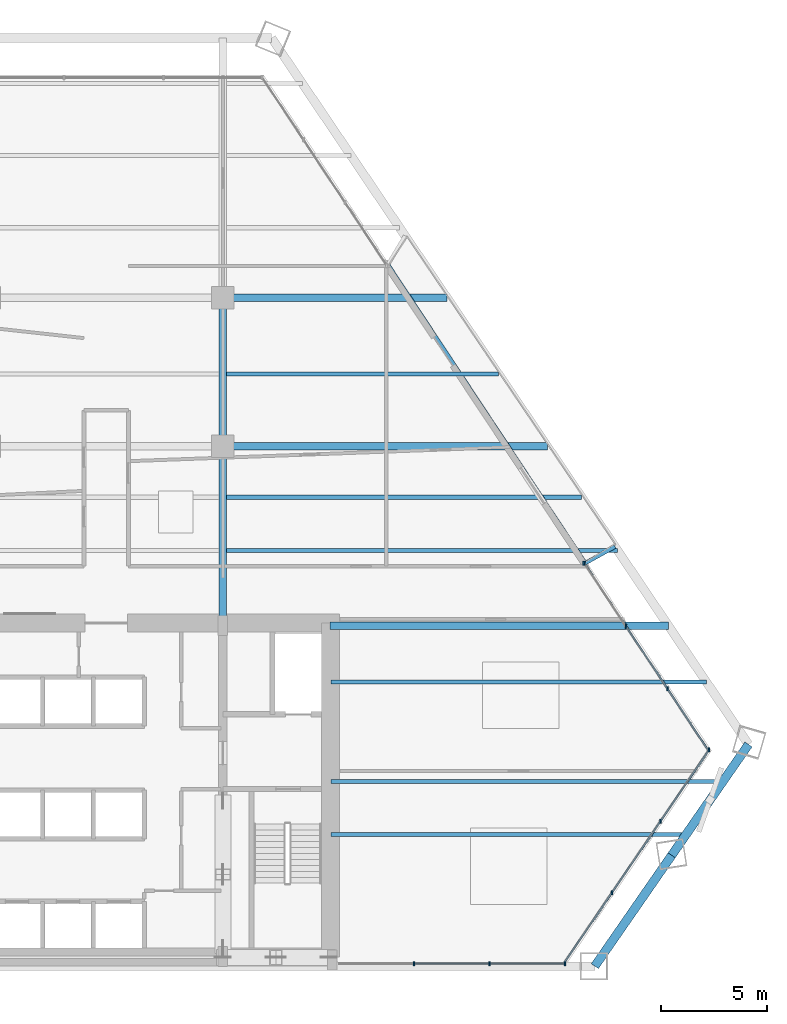
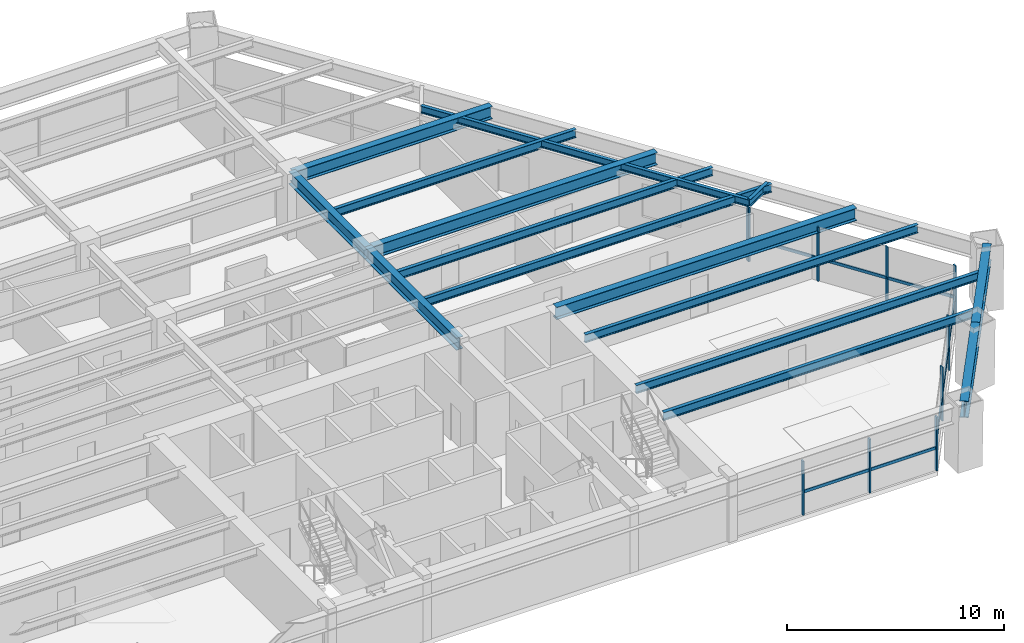
# One storey, part 6 of 14: 18 members, 15 beams, 3 elements without a shape of their own.
"""IFC4 building model written with IfcOpenShell, lengths in metres."""

from ifc_helpers import new_model, si_unit, direction, frame, origin, origin_2d, place, context, subcontext, project, spatial, rectangle, i_section, extrude, source, transform, mapped, material, material_profile, profile_set, type_object, type_shapes, element, aggregate, save


model = new_model("IFC4")

# Units and contexts
model_context = context("Model", 3, precision=1e-05, world=origin(), true_north=direction((0.0, 1.0)))
body_context = subcontext(model_context, "Body", "Model", "MODEL_VIEW")
ifc_project = project(units=[si_unit("LENGTHUNIT", "METRE"), si_unit("AREAUNIT", "SQUARE_METRE"), si_unit("VOLUMEUNIT", "CUBIC_METRE"), si_unit("PLANEANGLEUNIT", "RADIAN"), si_unit("MASSUNIT", "GRAM", prefix="KILO")], contexts=[model_context])

# Site, building, storey
site_placement = place(None, origin())
site = spatial("IfcSite", under=ifc_project, at=site_placement, CompositionType="ELEMENT")
building_placement = place(site_placement, origin())
building = spatial("IfcBuilding", under=site, at=building_placement, Name="Varnakhor Terracotta Tower", CompositionType="ELEMENT")
storey_placement = place(building_placement, frame((0.0, 0.0, 60.800048828125)))
storey = spatial("IfcBuildingStorey", under=building, at=storey_placement, Name="L14", CompositionType="ELEMENT", Elevation=60.800048828125)

# Beams
ifc_material_1 = material(Name="Steel S355", Category="steel")
ifc_material_profile_1 = material_profile(ifc_material_1, i_section(OverallWidth=0.35498046875, OverallDepth=0.695068359375, WebThickness=0.014892578125, FlangeThickness=0.02490234375, FilletRadius=0.01806640625, at=origin_2d()), Name="W27X146")
ifc_profile_set_1 = profile_set([ifc_material_profile_1], Name="Steel S355")
beam_type_1 = type_object("IfcBeamType", Name="BM-W27X146", PredefinedType="BEAM", material=ifc_profile_set_1)
shared_shape_1 = source(origin(), body_context, "Body", "SweptSolid", [
    extrude(i_section(OverallWidth=0.35498046875, OverallDepth=0.695068359375, WebThickness=0.014892578125, FlangeThickness=0.02490234375, FilletRadius=0.01806640625, at=origin_2d()), origin(), (0.0, 0.0, 1.0), 8.449951171875),
])
type_shapes(beam_type_1, [shared_shape_1])
beam_1_placement = place(storey_placement, frame((5.5, 16.050048828125, 3.1025390625), z_axis=(0.0, 1.0, 0.0), x_axis=(-1.0, 0.0, 0.0)))
element("IfcBeam", 1, at=beam_1_placement, inside=storey, type_object=beam_type_1, Name="L14 Primary Girder NS1-E", PredefinedType="BEAM", context=body_context, shape_type="MappedRepresentation", body=[
    mapped(shared_shape_1, transform((0.0, 0.0, 0.0), scale=1.0)),
])
shared_shape_2 = source(origin(), body_context, "Body", "SweptSolid", [
    extrude(i_section(OverallWidth=0.35498046875, OverallDepth=0.695068359375, WebThickness=0.014892578125, FlangeThickness=0.02490234375, FilletRadius=0.01806640625, at=origin_2d()), origin(), (0.0, 0.0, 1.0), 7.0),
])
beam_2_placement = place(storey_placement, frame((5.5, 24.5, 3.1025390625), z_axis=(0.0, 1.0, 0.0), x_axis=(-1.0, 0.0, 0.0)))
element("IfcBeam", 2, at=beam_2_placement, inside=storey, type_object=beam_type_1, Name="L14 Primary Girder NS2-E", PredefinedType="BEAM", context=body_context, shape_type="MappedRepresentation", body=[
    mapped(shared_shape_2, transform((0.0, 0.0, 0.0), scale=1.0)),
])
ifc_material_profile_2 = material_profile(ifc_material_1, i_section(OverallWidth=0.41796875, OverallDepth=0.927001953125, WebThickness=0.01904296875, FlangeThickness=0.031982421875, FilletRadius=0.01806640625, at=origin_2d()), Name="W36X231")
ifc_profile_set_2 = profile_set([ifc_material_profile_2], Name="Steel S355")
beam_type_2 = type_object("IfcBeamType", Name="BM-W36X231", PredefinedType="BEAM", material=ifc_profile_set_2)
shared_shape_3 = source(origin(), body_context, "Body", "SweptSolid", [
    extrude(i_section(OverallWidth=0.41796875, OverallDepth=0.927001953125, WebThickness=0.01904296875, FlangeThickness=0.031982421875, FilletRadius=0.01806640625, at=origin_2d()), origin(), (0.0, 0.0, 1.0), 6.358642578125),
])
for number, where, z_axis, x_axis, name in (
    (3, (23.0302734375, 0.0, 2.986572265625), (0.569663104141, 0.821878304727, 0.0), (-0.821878304727, 0.569663104141, 0.0), "L14 Perimeter Spandrel 2"),
    (4, (26.652587890625, 5.22607421875, 2.986572265625), (0.569619192518, 0.821908739164, 0.0), (-0.821908739164, 0.569619192518, 0.0), "L14 Perimeter Spandrel 3"),
):
    element("IfcBeam", number, at=place(storey_placement, frame(where, z_axis=z_axis, x_axis=x_axis)), inside=storey, type_object=beam_type_2, Name=name, PredefinedType="BEAM", context=body_context, shape_type="MappedRepresentation", body=[
        mapped(shared_shape_3, transform((0.0, 0.0, 0.0), scale=1.0)),
    ])
ifc_material_profile_3 = material_profile(ifc_material_1, i_section(OverallWidth=0.179931640625, OverallDepth=0.39990234375, WebThickness=0.008544921875, FlangeThickness=0.013427734375, FilletRadius=0.01806640625, at=origin_2d()), Name="IPE400")
ifc_profile_set_3 = profile_set([ifc_material_profile_3], Name="Steel S355")
beam_type_3 = type_object("IfcBeamType", Name="JST-IPE400", PredefinedType="JOIST", material=ifc_profile_set_3)
shared_shape_4 = source(origin(), body_context, "Body", "SweptSolid", [
    extrude(i_section(OverallWidth=0.179931640625, OverallDepth=0.39990234375, WebThickness=0.008544921875, FlangeThickness=0.013427734375, FilletRadius=0.01806640625, at=origin_2d()), origin(), (0.0, 0.0, 1.0), 16.8662109375),
])
beam_3_placement = place(storey_placement, frame((22.578125, 18.994873046875, 3.25), z_axis=(-0.551355325794, 0.834270522503, 0.0), x_axis=(-0.834270522503, -0.551355325794, 0.0)))
element("IfcBeam", 5, at=beam_3_placement, inside=storey, type_object=beam_type_3, Name="L14 Loggia Edge Beam 1", PredefinedType="JOIST", context=body_context, shape_type="MappedRepresentation", body=[
    mapped(shared_shape_4, transform((0.0, 0.0, 0.0), scale=1.0)),
])
shared_shape_5 = source(origin(), body_context, "Body", "SweptSolid", [
    extrude(i_section(OverallWidth=0.35498046875, OverallDepth=0.695068359375, WebThickness=0.014892578125, FlangeThickness=0.02490234375, FilletRadius=0.01806640625, at=origin_2d()), origin(), (0.0, 0.0, 1.0), 15.9453125),
])
beam_4_placement = place(storey_placement, frame((10.550048828125, 16.050048828125, 3.1025390625), z_axis=(1.0, 0.0, 0.0), x_axis=(0.0, 1.0, 0.0)))
element("IfcBeam", 6, at=beam_4_placement, inside=storey, type_object=beam_type_1, Name="L14 Wing Girder E", PredefinedType="BEAM", context=body_context, shape_type="MappedRepresentation", body=[
    mapped(shared_shape_5, transform((0.0, 0.0, 0.0), scale=1.0)),
])
shared_shape_6 = source(origin(), body_context, "Body", "SweptSolid", [
    extrude(i_section(OverallWidth=0.35498046875, OverallDepth=0.695068359375, WebThickness=0.014892578125, FlangeThickness=0.02490234375, FilletRadius=0.01806640625, at=origin_2d()), origin(), (0.0, 0.0, 1.0), 15.2900390625),
])
beam_5_placement = place(storey_placement, frame((5.5, 24.5, 3.1025390625), z_axis=(1.0, 0.0, 0.0), x_axis=(0.0, 1.0, 0.0)))
element("IfcBeam", 7, at=beam_5_placement, inside=storey, type_object=beam_type_1, Name="L14 Primary Girder EW2-3", PredefinedType="BEAM", context=body_context, shape_type="MappedRepresentation", body=[
    mapped(shared_shape_6, transform((0.0, 0.0, 0.0), scale=1.0)),
])
shared_shape_7 = source(origin(), body_context, "Body", "SweptSolid", [
    extrude(i_section(OverallWidth=0.35498046875, OverallDepth=0.695068359375, WebThickness=0.014892578125, FlangeThickness=0.02490234375, FilletRadius=0.01806640625, at=origin_2d()), origin(), (0.0, 0.0, 1.0), 10.56396484375),
])
beam_6_placement = place(storey_placement, frame((5.5, 31.5, 3.1025390625), z_axis=(1.0, 0.0, 0.0), x_axis=(0.0, 1.0, 0.0)))
element("IfcBeam", 8, at=beam_6_placement, inside=storey, type_object=beam_type_1, Name="L14 Primary Girder EW3-3", PredefinedType="BEAM", context=body_context, shape_type="MappedRepresentation", body=[
    mapped(shared_shape_7, transform((0.0, 0.0, 0.0), scale=1.0)),
])
ifc_material_profile_4 = material_profile(ifc_material_1, i_section(OverallWidth=0.19189453125, OverallDepth=0.462890625, WebThickness=0.010498046875, FlangeThickness=0.017578125, FilletRadius=0.01806640625, at=origin_2d()), Name="W18X60")
ifc_profile_set_4 = profile_set([ifc_material_profile_4], Name="Steel S355")
beam_type_4 = type_object("IfcBeamType", Name="JST-W18X60", PredefinedType="JOIST", material=ifc_profile_set_4)
shared_shape_8 = source(origin(), body_context, "Body", "SweptSolid", [
    extrude(i_section(OverallWidth=0.19189453125, OverallDepth=0.462890625, WebThickness=0.010498046875, FlangeThickness=0.017578125, FilletRadius=0.01806640625, at=origin_2d()), origin(), (0.0, 0.0, 1.0), 16.727294921875),
])
beam_7_placement = place(storey_placement, frame((10.60009765625, 6.199951171875, 3.218505859375), z_axis=(1.0, 0.0, 0.0), x_axis=(0.0, 1.0, 0.0)))
element("IfcBeam", 9, at=beam_7_placement, inside=storey, type_object=beam_type_4, Name="L14 Floor Joist E1", PredefinedType="JOIST", context=body_context, shape_type="MappedRepresentation", body=[
    mapped(shared_shape_8, transform((0.0, 0.0, 0.0), scale=1.0)),
])
shared_shape_9 = source(origin(), body_context, "Body", "SweptSolid", [
    extrude(i_section(OverallWidth=0.19189453125, OverallDepth=0.462890625, WebThickness=0.010498046875, FlangeThickness=0.017578125, FilletRadius=0.01806640625, at=origin_2d()), origin(), (0.0, 0.0, 1.0), 18.460205078125),
])
beam_8_placement = place(storey_placement, frame((10.60009765625, 8.699951171875, 3.218505859375), z_axis=(1.0, 0.0, 0.0), x_axis=(0.0, 1.0, 0.0)))
element("IfcBeam", 10, at=beam_8_placement, inside=storey, type_object=beam_type_4, Name="L14 Floor Joist E2", PredefinedType="JOIST", context=body_context, shape_type="MappedRepresentation", body=[
    mapped(shared_shape_9, transform((0.0, 0.0, 0.0), scale=1.0)),
])
shared_shape_10 = source(origin(), body_context, "Body", "SweptSolid", [
    extrude(i_section(OverallWidth=0.19189453125, OverallDepth=0.462890625, WebThickness=0.010498046875, FlangeThickness=0.017578125, FilletRadius=0.01806640625, at=origin_2d()), origin(), (0.0, 0.0, 1.0), 17.684326171875),
])
beam_9_placement = place(storey_placement, frame((10.60009765625, 13.39990234375, 3.218505859375), z_axis=(1.0, 0.0, 0.0), x_axis=(0.0, 1.0, 0.0)))
element("IfcBeam", 11, at=beam_9_placement, inside=storey, type_object=beam_type_4, Name="L14 Floor Joist E3", PredefinedType="JOIST", context=body_context, shape_type="MappedRepresentation", body=[
    mapped(shared_shape_10, transform((0.0, 0.0, 0.0), scale=1.0)),
])
shared_shape_11 = source(origin(), body_context, "Body", "SweptSolid", [
    extrude(i_section(OverallWidth=0.19189453125, OverallDepth=0.462890625, WebThickness=0.010498046875, FlangeThickness=0.017578125, FilletRadius=0.01806640625, at=origin_2d()), origin(), (0.0, 0.0, 1.0), 18.4248046875),
])
beam_10_placement = place(storey_placement, frame((5.673583984375, 19.60009765625, 3.218505859375), z_axis=(1.0, 0.0, 0.0), x_axis=(0.0, 1.0, 0.0)))
element("IfcBeam", 12, at=beam_10_placement, inside=storey, type_object=beam_type_4, Name="L14 Composite Floor Joist 4-3", PredefinedType="JOIST", context=body_context, shape_type="MappedRepresentation", body=[
    mapped(shared_shape_11, transform((0.0, 0.0, 0.0), scale=1.0)),
])
shared_shape_12 = source(origin(), body_context, "Body", "SweptSolid", [
    extrude(i_section(OverallWidth=0.19189453125, OverallDepth=0.462890625, WebThickness=0.010498046875, FlangeThickness=0.017578125, FilletRadius=0.01806640625, at=origin_2d()), origin(), (0.0, 0.0, 1.0), 16.73681640625),
])
beam_11_placement = place(storey_placement, frame((5.673583984375, 22.10009765625, 3.218505859375), z_axis=(1.0, 0.0, 0.0), x_axis=(0.0, 1.0, 0.0)))
element("IfcBeam", 13, at=beam_11_placement, inside=storey, type_object=beam_type_4, Name="L14 Composite Floor Joist 5-3", PredefinedType="JOIST", context=body_context, shape_type="MappedRepresentation", body=[
    mapped(shared_shape_12, transform((0.0, 0.0, 0.0), scale=1.0)),
])
shared_shape_13 = source(origin(), body_context, "Body", "SweptSolid", [
    extrude(i_section(OverallWidth=0.19189453125, OverallDepth=0.462890625, WebThickness=0.010498046875, FlangeThickness=0.017578125, FilletRadius=0.01806640625, at=origin_2d()), origin(), (0.0, 0.0, 1.0), 12.82080078125),
])
beam_12_placement = place(storey_placement, frame((5.673583984375, 27.89990234375, 3.218505859375), z_axis=(1.0, 0.0, 0.0), x_axis=(0.0, 1.0, 0.0)))
element("IfcBeam", 14, at=beam_12_placement, inside=storey, type_object=beam_type_4, Name="L14 Composite Floor Joist 6-3", PredefinedType="JOIST", context=body_context, shape_type="MappedRepresentation", body=[
    mapped(shared_shape_13, transform((0.0, 0.0, 0.0), scale=1.0)),
])

# Curtain wall, members
ifc_material_2 = material(Name="Anodised Aluminium Curtain Wall System", Category="aluminium")
curtain_wall_type = type_object("IfcCurtainWallType", Name="CW-SYS-LOW-OFFICE", PredefinedType="NOTDEFINED", material=ifc_material_2)
curtain_wall_1_placement = place(storey_placement, origin())
curtain_wall_1 = element("IfcCurtainWall", 15, at=curtain_wall_1_placement, inside=storey, type_object=curtain_wall_type, Name="L14 E Facet Curtain Wall 2", PredefinedType="NOTDEFINED")
ifc_material_3 = material(Name="Anodised Aluminium 6063-T6", Category="aluminium")
ifc_material_profile_5 = material_profile(ifc_material_3, rectangle(XDim=0.074951171875, YDim=0.18505859375, at=origin_2d()), Name="ALU MULLION 75x185")
ifc_profile_set_5 = profile_set([ifc_material_profile_5], Name="Anodised Aluminium 6063-T6")
member_type_1 = type_object("IfcMemberType", Name="CWM-02", PredefinedType="MULLION", material=ifc_profile_set_5)
shared_shape_14 = source(origin(), body_context, "Body", "SweptSolid", [
    extrude(rectangle(XDim=0.074951171875, YDim=0.18505859375, at=origin_2d()), origin(), (0.0, 0.0, 1.0), 3.030029296875),
])
type_shapes(member_type_1, [shared_shape_14])
member_1_placement = place(storey_placement, frame((22.54296875, 18.980712890625, 0.0), z_axis=(0.0, 0.0, 1.0), x_axis=(1.0, 0.0, 0.0)))
member_1 = element("IfcMember", 16, at=member_1_placement, type_object=member_type_1, Name="L14 E Facet Curtain Wall 2 Mullion 1", PredefinedType="MULLION", context=body_context, shape_type="MappedRepresentation", body=[
    mapped(shared_shape_14, transform((0.0, 0.0, 0.0), scale=1.0)),
])
member_2_placement = place(storey_placement, frame((24.501708984375, 16.026123046875, 0.0), z_axis=(0.0, 0.0, 1.0), x_axis=(1.0, 0.0, 0.0)))
member_2 = element("IfcMember", 17, at=member_2_placement, type_object=member_type_1, Name="L14 E Facet Curtain Wall 2 Mullion 2", PredefinedType="MULLION", context=body_context, shape_type="MappedRepresentation", body=[
    mapped(shared_shape_14, transform((0.0, 0.0, 0.0), scale=1.0)),
])
member_3_placement = place(storey_placement, frame((26.460205078125, 13.0712890625, 0.0), z_axis=(0.0, 0.0, 1.0), x_axis=(1.0, 0.0, 0.0)))
member_3 = element("IfcMember", 18, at=member_3_placement, type_object=member_type_1, Name="L14 E Facet Curtain Wall 2 Mullion 3", PredefinedType="MULLION", context=body_context, shape_type="MappedRepresentation", body=[
    mapped(shared_shape_14, transform((0.0, 0.0, 0.0), scale=1.0)),
])
member_4_placement = place(storey_placement, frame((22.509765625, 18.99462890625, 0.0), z_axis=(0.0, 0.0, 1.0), x_axis=(1.0, 0.0, 0.0)))
member_4 = element("IfcMember", 19, at=member_4_placement, type_object=member_type_1, Name="L14 E Loggia Jamb Closure Mullion 2", PredefinedType="MULLION", context=body_context, shape_type="MappedRepresentation", body=[
    mapped(shared_shape_14, transform((0.0, 0.0, 0.0), scale=1.0)),
])

curtain_wall_2_placement = place(storey_placement, origin())
curtain_wall_2 = element("IfcCurtainWall", 20, at=curtain_wall_2_placement, inside=storey, type_object=curtain_wall_type, Name="L14 Facet Curtain Wall 4", PredefinedType="NOTDEFINED")
member_5_placement = place(storey_placement, frame((28.419189453125, 10.20068359375, 0.0), z_axis=(0.0, 0.0, 1.0), x_axis=(1.0, 0.0, 0.0)))
member_5 = element("IfcMember", 21, at=member_5_placement, type_object=member_type_1, Name="L14 Facet Curtain Wall 4 Mullion 1", PredefinedType="MULLION", context=body_context, shape_type="MappedRepresentation", body=[
    mapped(shared_shape_14, transform((0.0, 0.0, 0.0), scale=1.0)),
])
member_6_placement = place(storey_placement, frame((26.127685546875, 6.831298828125, 0.0), z_axis=(0.0, 0.0, 1.0), x_axis=(1.0, 0.0, 0.0)))
member_6 = element("IfcMember", 22, at=member_6_placement, type_object=member_type_1, Name="L14 Facet Curtain Wall 4 Mullion 2", PredefinedType="MULLION", context=body_context, shape_type="MappedRepresentation", body=[
    mapped(shared_shape_14, transform((0.0, 0.0, 0.0), scale=1.0)),
])
member_7_placement = place(storey_placement, frame((23.83642578125, 3.4619140625, 0.0), z_axis=(0.0, 0.0, 1.0), x_axis=(1.0, 0.0, 0.0)))
member_7 = element("IfcMember", 23, at=member_7_placement, type_object=member_type_1, Name="L14 Facet Curtain Wall 4 Mullion 3", PredefinedType="MULLION", context=body_context, shape_type="MappedRepresentation", body=[
    mapped(shared_shape_14, transform((0.0, 0.0, 0.0), scale=1.0)),
])

curtain_wall_3_placement = place(storey_placement, origin())
curtain_wall_3 = element("IfcCurtainWall", 24, at=curtain_wall_3_placement, inside=storey, type_object=curtain_wall_type, Name="L14 South Wing Curtain Wall SSE", PredefinedType="NOTDEFINED")
member_8_placement = place(storey_placement, frame((21.617431640625, 0.1201171875, 0.0), z_axis=(0.0, 0.0, 1.0), x_axis=(1.0, 0.0, 0.0)))
member_8 = element("IfcMember", 25, at=member_8_placement, type_object=member_type_1, Name="L14 South Wing Curtain Wall SSE Mullion 1", PredefinedType="MULLION", context=body_context, shape_type="MappedRepresentation", body=[
    mapped(shared_shape_14, transform((0.0, 0.0, 0.0), scale=1.0)),
])
member_9_placement = place(storey_placement, frame((18.068359375, 0.1201171875, 0.0), z_axis=(0.0, 0.0, 1.0), x_axis=(1.0, 0.0, 0.0)))
member_9 = element("IfcMember", 26, at=member_9_placement, type_object=member_type_1, Name="L14 South Wing Curtain Wall SSE Mullion 2", PredefinedType="MULLION", context=body_context, shape_type="MappedRepresentation", body=[
    mapped(shared_shape_14, transform((0.0, 0.0, 0.0), scale=1.0)),
])
member_10_placement = place(storey_placement, frame((14.51904296875, 0.1201171875, 0.0), z_axis=(0.0, 0.0, 1.0), x_axis=(1.0, 0.0, 0.0)))
member_10 = element("IfcMember", 27, at=member_10_placement, type_object=member_type_1, Name="L14 South Wing Curtain Wall SSE Mullion 3", PredefinedType="MULLION", context=body_context, shape_type="MappedRepresentation", body=[
    mapped(shared_shape_14, transform((0.0, 0.0, 0.0), scale=1.0)),
])

# Member
ifc_material_profile_6 = material_profile(ifc_material_3, rectangle(XDim=0.074951171875, YDim=0.1650390625, at=origin_2d()), Name="ALU TRANSOM 75x165")
ifc_profile_set_6 = profile_set([ifc_material_profile_6], Name="Anodised Aluminium 6063-T6")
member_type_2 = type_object("IfcMemberType", Name="CWT-02", PredefinedType="USERDEFINED", material=ifc_profile_set_6)
shared_shape_15 = source(origin(), body_context, "Body", "SweptSolid", [
    extrude(rectangle(XDim=0.074951171875, YDim=0.1650390625, at=origin_2d()), origin(), (0.0, 0.0, 1.0), 3.544677734375),
])
member_11_placement = place(storey_placement, frame((26.460205078125, 13.0712890625, 1.2724609375), z_axis=(0.552504906136, -0.833509645233, 0.0), x_axis=(0.833509645233, 0.552504906136, 0.0)))
member_11 = element("IfcMember", 28, at=member_11_placement, type_object=member_type_2, Name="L14 E Facet Curtain Wall 2 Transom 3", ObjectType="TRANSOM", PredefinedType="USERDEFINED", context=body_context, shape_type="MappedRepresentation", body=[
    mapped(shared_shape_15, transform((0.0, 0.0, 0.0), scale=1.0)),
])

shared_shape_16 = source(origin(), body_context, "Body", "SweptSolid", [
    extrude(rectangle(XDim=0.074951171875, YDim=0.1650390625, at=origin_2d()), origin(), (0.0, 0.0, 1.0), 3.544921875),
])
member_12_placement = place(storey_placement, frame((22.54296875, 18.980712890625, 1.2724609375), z_axis=(0.552552752611, -0.833477927471, 0.0), x_axis=(0.833477927471, 0.552552752611, 0.0)))
member_12 = element("IfcMember", 29, at=member_12_placement, type_object=member_type_2, Name="L14 E Facet Curtain Wall 2 Transom 1", ObjectType="TRANSOM", PredefinedType="USERDEFINED", context=body_context, shape_type="MappedRepresentation", body=[
    mapped(shared_shape_16, transform((0.0, 0.0, 0.0), scale=1.0)),
])

member_13_placement = place(storey_placement, frame((24.501708984375, 16.026123046875, 1.2724609375), z_axis=(0.552473189962, -0.833530667926, 0.0), x_axis=(0.833530667926, 0.552473189962, 0.0)))
member_13 = element("IfcMember", 30, at=member_13_placement, type_object=member_type_2, Name="L14 E Facet Curtain Wall 2 Transom 2", ObjectType="TRANSOM", PredefinedType="USERDEFINED", context=body_context, shape_type="MappedRepresentation", body=[
    mapped(shared_shape_16, transform((0.0, 0.0, 0.0), scale=1.0)),
])

aggregate(curtain_wall_1, [member_1, member_12, member_2, member_13, member_3, member_11, member_4])

shared_shape_17 = source(origin(), body_context, "Body", "SweptSolid", [
    extrude(rectangle(XDim=0.074951171875, YDim=0.1650390625, at=origin_2d()), origin(), (0.0, 0.0, 1.0), 4.07470703125),
])
member_14_placement = place(storey_placement, frame((28.419189453125, 10.20068359375, 1.2724609375), z_axis=(-0.562364101215, -0.826889725214, 0.0), x_axis=(0.826889725214, -0.562364101215, 0.0)))
member_14 = element("IfcMember", 31, at=member_14_placement, type_object=member_type_2, Name="L14 Facet Curtain Wall 4 Transom 1", ObjectType="TRANSOM", PredefinedType="USERDEFINED", context=body_context, shape_type="MappedRepresentation", body=[
    mapped(shared_shape_17, transform((0.0, 0.0, 0.0), scale=1.0)),
])

member_15_placement = place(storey_placement, frame((26.127685546875, 6.831298828125, 1.2724609375), z_axis=(-0.562323132326, -0.826917586493, 0.0), x_axis=(0.826917586493, -0.562323132326, 0.0)))
member_15 = element("IfcMember", 32, at=member_15_placement, type_object=member_type_2, Name="L14 Facet Curtain Wall 4 Transom 2", ObjectType="TRANSOM", PredefinedType="USERDEFINED", context=body_context, shape_type="MappedRepresentation", body=[
    mapped(shared_shape_17, transform((0.0, 0.0, 0.0), scale=1.0)),
])

shared_shape_18 = source(origin(), body_context, "Body", "SweptSolid", [
    extrude(rectangle(XDim=0.074951171875, YDim=0.1650390625, at=origin_2d()), origin(), (0.0, 0.0, 1.0), 4.074951171875),
])
member_16_placement = place(storey_placement, frame((23.83642578125, 3.4619140625, 1.2724609375), z_axis=(-0.562336240921, -0.826908672192, 0.0), x_axis=(0.826908672192, -0.562336240921, 0.0)))
member_16 = element("IfcMember", 33, at=member_16_placement, type_object=member_type_2, Name="L14 Facet Curtain Wall 4 Transom 3", ObjectType="TRANSOM", PredefinedType="USERDEFINED", context=body_context, shape_type="MappedRepresentation", body=[
    mapped(shared_shape_18, transform((0.0, 0.0, 0.0), scale=1.0)),
])

aggregate(curtain_wall_2, [member_5, member_14, member_6, member_15, member_7, member_16])

shared_shape_19 = source(origin(), body_context, "Body", "SweptSolid", [
    extrude(rectangle(XDim=0.074951171875, YDim=0.1650390625, at=origin_2d()), origin(), (0.0, 0.0, 1.0), 3.549072265625),
])
member_17_placement = place(storey_placement, frame((21.617431640625, 0.1201171875, 1.2724609375), z_axis=(-1.0, 0.0, 0.0), x_axis=(0.0, -1.0, 0.0)))
member_17 = element("IfcMember", 34, at=member_17_placement, type_object=member_type_2, Name="L14 South Wing Curtain Wall SSE Transom 1", ObjectType="TRANSOM", PredefinedType="USERDEFINED", context=body_context, shape_type="MappedRepresentation", body=[
    mapped(shared_shape_19, transform((0.0, 0.0, 0.0), scale=1.0)),
])

shared_shape_20 = source(origin(), body_context, "Body", "SweptSolid", [
    extrude(rectangle(XDim=0.074951171875, YDim=0.1650390625, at=origin_2d()), origin(), (0.0, 0.0, 1.0), 3.54931640625),
])
member_18_placement = place(storey_placement, frame((18.068359375, 0.1201171875, 1.2724609375), z_axis=(-1.0, 0.0, 0.0), x_axis=(0.0, -1.0, 0.0)))
member_18 = element("IfcMember", 35, at=member_18_placement, type_object=member_type_2, Name="L14 South Wing Curtain Wall SSE Transom 2", ObjectType="TRANSOM", PredefinedType="USERDEFINED", context=body_context, shape_type="MappedRepresentation", body=[
    mapped(shared_shape_20, transform((0.0, 0.0, 0.0), scale=1.0)),
])

aggregate(curtain_wall_3, [member_8, member_17, member_9, member_18, member_10])

# Beam
shared_shape_21 = source(origin(), body_context, "Body", "SweptSolid", [
    extrude(i_section(OverallWidth=0.179931640625, OverallDepth=0.39990234375, WebThickness=0.008544921875, FlangeThickness=0.013427734375, FilletRadius=0.01806640625, at=origin_2d()), origin(), (0.0, 0.0, 1.0), 1.604736328125),
])
beam_13_placement = place(storey_placement, frame((22.578125, 18.994873046875, 3.25), z_axis=(0.874236208729, 0.485500825279, 0.0), x_axis=(-0.485500825279, 0.874236208729, 0.0)))
element("IfcBeam", 36, at=beam_13_placement, inside=storey, type_object=beam_type_3, Name="L15 E Loggia Tie Beam 2", PredefinedType="JOIST", context=body_context, shape_type="MappedRepresentation", body=[
    mapped(shared_shape_21, transform((0.0, 0.0, 0.0), scale=1.0)),
])

save(model, "model.ifc")
